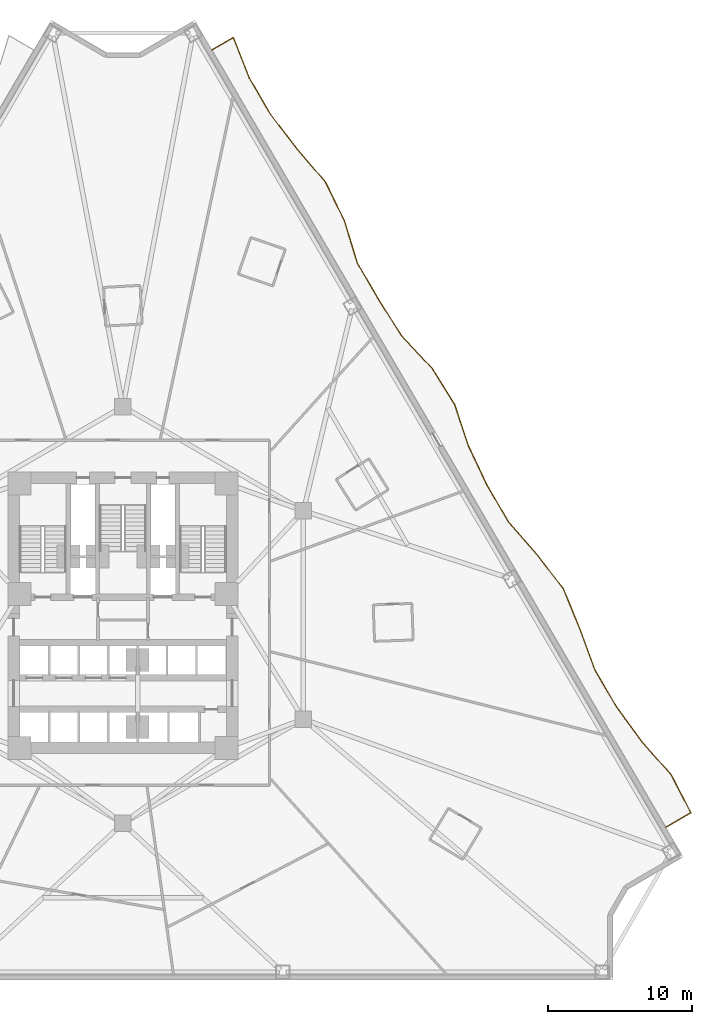
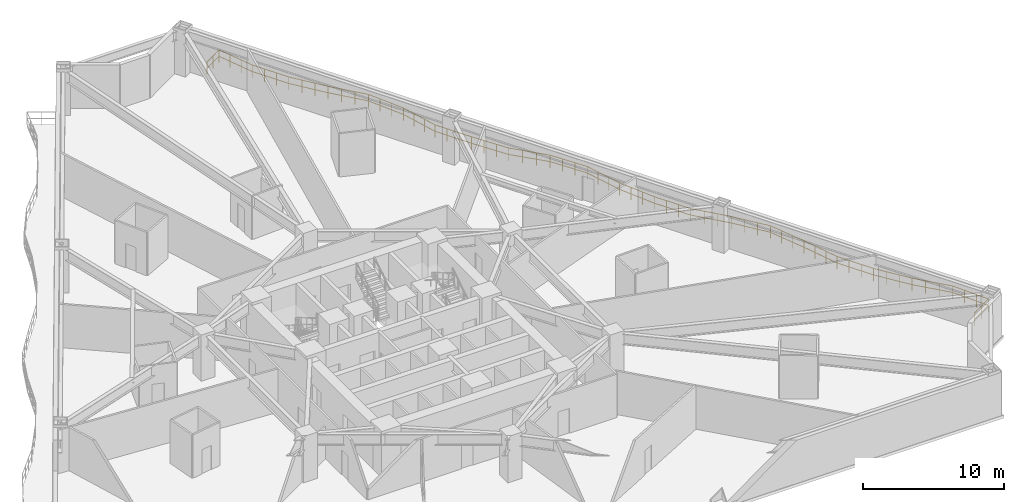
# One storey, part 11 of 11: 1 railing.
"""IFC4 building model written with IfcOpenShell, lengths in metres."""

from ifc_helpers import new_model, si_unit, direction, frame, origin, origin_2d, place, context, subcontext, project, spatial, rectangle, extrude, material, type_object, element, save


model = new_model("IFC4")

# Units and contexts
model_context = context("Model", 3, precision=1e-05, world=origin(), true_north=direction((0.0, 1.0)))
body_context = subcontext(model_context, "Body", "Model", "MODEL_VIEW")
ifc_project = project(units=[si_unit("LENGTHUNIT", "METRE"), si_unit("AREAUNIT", "SQUARE_METRE"), si_unit("VOLUMEUNIT", "CUBIC_METRE"), si_unit("PLANEANGLEUNIT", "RADIAN"), si_unit("MASSUNIT", "GRAM", prefix="KILO")], contexts=[model_context])

# Site, building, storey
site_placement = place(None, origin())
site = spatial("IfcSite", under=ifc_project, at=site_placement, CompositionType="ELEMENT")
building_placement = place(site_placement, origin())
building = spatial("IfcBuilding", under=site, at=building_placement, Name="Apsidion Concourse Tower", CompositionType="ELEMENT")
storey_placement = place(building_placement, frame((0.0, 0.0, 54.39990234375)))
storey = spatial("IfcBuildingStorey", under=building, at=storey_placement, Name="L11", CompositionType="ELEMENT", Elevation=54.39990234375)

# Railing
ifc_material = material(Name="Brushed stainless steel 316", Category="steel")
railing_type = type_object("IfcRailingType", Name="RL-BAL-1120", PredefinedType="BALUSTRADE", material=ifc_material)
railing_placement = place(storey_placement, frame((6.204833984375, 39.32275390625, 0.0)))
element("IfcRailing", 1, at=railing_placement, inside=storey, type_object=railing_type, Name="L11 Face 3 Rippling Balcony Balustrade", PredefinedType="BALUSTRADE", context=body_context, shape_type="SweptSolid", body=[
    extrude(rectangle(XDim=0.048095703125, YDim=0.048095703125, at=origin_2d()), frame((0.0, 0.0, 1.09619140625), z_axis=(0.863535689289, 0.504287728708, 0.0), x_axis=(-0.504287728708, 0.863535689289, 0.0)), (0.0, 0.0, 1.0), 1.7119140625),
    extrude(rectangle(XDim=0.048095703125, YDim=0.048095703125, at=origin_2d()), frame((0.0, 0.0, 0.5361328125), z_axis=(0.863535689289, 0.504287728708, 0.0), x_axis=(-0.504287728708, 0.863535689289, 0.0)), (0.0, 0.0, 1.0), 1.7119140625),
    extrude(rectangle(XDim=0.048095703125, YDim=0.048095703125, at=origin_2d()), frame((1.478271484375, 0.86328125, 1.09619140625), z_axis=(0.366155310189, -0.930553753859, 0.0), x_axis=(0.930553753859, 0.366155310189, 0.0)), (0.0, 0.0, 1.0), 3.0185546875),
    extrude(rectangle(XDim=0.048095703125, YDim=0.048095703125, at=origin_2d()), frame((1.478271484375, 0.86328125, 0.5361328125), z_axis=(0.366155310189, -0.930553753859, 0.0), x_axis=(0.930553753859, 0.366155310189, 0.0)), (0.0, 0.0, 1.0), 3.0185546875),
    extrude(rectangle(XDim=0.048095703125, YDim=0.048095703125, at=origin_2d()), frame((2.58349609375, -1.945556640625, 1.09619140625), z_axis=(0.504155966148, -0.863612622532, 0.0), x_axis=(0.863612622532, 0.504155966148, 0.0)), (0.0, 0.0, 1.0), 2.98291015625),
    extrude(rectangle(XDim=0.048095703125, YDim=0.048095703125, at=origin_2d()), frame((2.58349609375, -1.945556640625, 0.5361328125), z_axis=(0.504155966148, -0.863612622532, 0.0), x_axis=(0.863612622532, 0.504155966148, 0.0)), (0.0, 0.0, 1.0), 2.98291015625),
    extrude(rectangle(XDim=0.048095703125, YDim=0.048095703125, at=origin_2d()), frame((4.08740234375, -4.521728515625, 1.09619140625), z_axis=(0.608913854195, -0.793236357065, 0.0), x_axis=(0.793236357065, 0.608913854195, 0.0)), (0.0, 0.0, 1.0), 3.006591796875),
    extrude(rectangle(XDim=0.048095703125, YDim=0.048095703125, at=origin_2d()), frame((4.08740234375, -4.521728515625, 0.5361328125), z_axis=(0.608913854195, -0.793236357065, 0.0), x_axis=(0.793236357065, 0.608913854195, 0.0)), (0.0, 0.0, 1.0), 3.006591796875),
    extrude(rectangle(XDim=0.048095703125, YDim=0.048095703125, at=origin_2d()), frame((5.918212890625, -6.90673828125, 1.09619140625), z_axis=(0.65158656951, -0.75857428274, 0.0), x_axis=(0.75857428274, 0.65158656951, 0.0)), (0.0, 0.0, 1.0), 3.03271484375),
    extrude(rectangle(XDim=0.048095703125, YDim=0.048095703125, at=origin_2d()), frame((5.918212890625, -6.90673828125, 0.5361328125), z_axis=(0.65158656951, -0.75857428274, 0.0), x_axis=(0.75857428274, 0.65158656951, 0.0)), (0.0, 0.0, 1.0), 3.03271484375),
    extrude(rectangle(XDim=0.048095703125, YDim=0.048095703125, at=origin_2d()), frame((7.894287109375, -9.207275390625, 1.09619140625), z_axis=(0.440146893099, -0.8979257834, 0.0), x_axis=(0.8979257834, 0.440146893099, 0.0)), (0.0, 0.0, 1.0), 2.99072265625),
    extrude(rectangle(XDim=0.048095703125, YDim=0.048095703125, at=origin_2d()), frame((7.894287109375, -9.207275390625, 0.5361328125), z_axis=(0.440146893099, -0.8979257834, 0.0), x_axis=(0.8979257834, 0.440146893099, 0.0)), (0.0, 0.0, 1.0), 2.99072265625),
    extrude(rectangle(XDim=0.048095703125, YDim=0.048095703125, at=origin_2d()), frame((9.210693359375, -11.892822265625, 1.09619140625), z_axis=(0.29124718048, -0.956647834818, 0.0), x_axis=(0.956647834818, 0.29124718048, 0.0)), (0.0, 0.0, 1.0), 3.0654296875),
    extrude(rectangle(XDim=0.048095703125, YDim=0.048095703125, at=origin_2d()), frame((9.210693359375, -11.892822265625, 0.5361328125), z_axis=(0.29124718048, -0.956647834818, 0.0), x_axis=(0.956647834818, 0.29124718048, 0.0)), (0.0, 0.0, 1.0), 3.0654296875),
    extrude(rectangle(XDim=0.048095703125, YDim=0.048095703125, at=origin_2d()), frame((10.103515625, -14.825439453125, 1.09619140625), z_axis=(0.504217003444, -0.863576987557, 0.0), x_axis=(0.863576987557, 0.504217003444, 0.0)), (0.0, 0.0, 1.0), 2.983154296875),
    extrude(rectangle(XDim=0.048095703125, YDim=0.048095703125, at=origin_2d()), frame((10.103515625, -14.825439453125, 0.5361328125), z_axis=(0.504217003444, -0.863576987557, 0.0), x_axis=(0.863576987557, 0.504217003444, 0.0)), (0.0, 0.0, 1.0), 2.983154296875),
    extrude(rectangle(XDim=0.048095703125, YDim=0.048095703125, at=origin_2d()), frame((11.607666015625, -17.401611328125, 1.09619140625), z_axis=(0.534146861676, -0.845391702208, 0.0), x_axis=(0.845391702208, 0.534146861676, 0.0)), (0.0, 0.0, 1.0), 2.984619140625),
    extrude(rectangle(XDim=0.048095703125, YDim=0.048095703125, at=origin_2d()), frame((11.607666015625, -17.401611328125, 0.5361328125), z_axis=(0.534146861676, -0.845391702208, 0.0), x_axis=(0.845391702208, 0.534146861676, 0.0)), (0.0, 0.0, 1.0), 2.984619140625),
    extrude(rectangle(XDim=0.048095703125, YDim=0.048095703125, at=origin_2d()), frame((13.201904296875, -19.9248046875, 1.09619140625), z_axis=(0.685988746954, -0.72761214878, 0.0), x_axis=(0.72761214878, 0.685988746954, 0.0)), (0.0, 0.0, 1.0), 3.061767578125),
    extrude(rectangle(XDim=0.048095703125, YDim=0.048095703125, at=origin_2d()), frame((13.201904296875, -19.9248046875, 0.5361328125), z_axis=(0.685988746954, -0.72761214878, 0.0), x_axis=(0.72761214878, 0.685988746954, 0.0)), (0.0, 0.0, 1.0), 3.061767578125),
    extrude(rectangle(XDim=0.048095703125, YDim=0.048095703125, at=origin_2d()), frame((15.30224609375, -22.152587890625, 1.09619140625), z_axis=(0.528740866486, -0.848783303387, 0.0), x_axis=(0.848783303387, 0.528740866486, 0.0)), (0.0, 0.0, 1.0), 2.984130859375),
    extrude(rectangle(XDim=0.048095703125, YDim=0.048095703125, at=origin_2d()), frame((15.30224609375, -22.152587890625, 0.5361328125), z_axis=(0.528740866486, -0.848783303387, 0.0), x_axis=(0.848783303387, 0.528740866486, 0.0)), (0.0, 0.0, 1.0), 2.984130859375),
    extrude(rectangle(XDim=0.048095703125, YDim=0.048095703125, at=origin_2d()), frame((16.880126953125, -24.685546875, 1.09619140625), z_axis=(0.31668437014, -0.948530974565, 0.0), x_axis=(0.948530974565, 0.31668437014, 0.0)), (0.0, 0.0, 1.0), 3.04736328125),
    extrude(rectangle(XDim=0.048095703125, YDim=0.048095703125, at=origin_2d()), frame((16.880126953125, -24.685546875, 0.5361328125), z_axis=(0.31668437014, -0.948530974565, 0.0), x_axis=(0.948530974565, 0.31668437014, 0.0)), (0.0, 0.0, 1.0), 3.04736328125),
    extrude(rectangle(XDim=0.048095703125, YDim=0.048095703125, at=origin_2d()), frame((17.84521484375, -27.576171875, 1.09619140625), z_axis=(0.428359743198, -0.90360828372, 0.0), x_axis=(0.90360828372, 0.428359743198, 0.0)), (0.0, 0.0, 1.0), 2.993896484375),
    extrude(rectangle(XDim=0.048095703125, YDim=0.048095703125, at=origin_2d()), frame((17.84521484375, -27.576171875, 0.5361328125), z_axis=(0.428359743198, -0.90360828372, 0.0), x_axis=(0.90360828372, 0.428359743198, 0.0)), (0.0, 0.0, 1.0), 2.993896484375),
    extrude(rectangle(XDim=0.048095703125, YDim=0.048095703125, at=origin_2d()), frame((19.127685546875, -30.281494140625, 1.09619140625), z_axis=(0.504252641195, -0.863556178745, 0.0), x_axis=(0.863556178745, 0.504252641195, 0.0)), (0.0, 0.0, 1.0), 2.98291015625),
    extrude(rectangle(XDim=0.048095703125, YDim=0.048095703125, at=origin_2d()), frame((19.127685546875, -30.281494140625, 0.5361328125), z_axis=(0.504252641195, -0.863556178745, 0.0), x_axis=(0.863556178745, 0.504252641195, 0.0)), (0.0, 0.0, 1.0), 2.98291015625),
    extrude(rectangle(XDim=0.048095703125, YDim=0.048095703125, at=origin_2d()), frame((20.6318359375, -32.857421875, 1.09619140625), z_axis=(0.658959628995, -0.752178308219, 0.0), x_axis=(0.752178308219, 0.658959628995, 0.0)), (0.0, 0.0, 1.0), 3.0380859375),
    extrude(rectangle(XDim=0.048095703125, YDim=0.048095703125, at=origin_2d()), frame((20.6318359375, -32.857421875, 0.5361328125), z_axis=(0.658959628995, -0.752178308219, 0.0), x_axis=(0.752178308219, 0.658959628995, 0.0)), (0.0, 0.0, 1.0), 3.0380859375),
    extrude(rectangle(XDim=0.048095703125, YDim=0.048095703125, at=origin_2d()), frame((22.6337890625, -35.142578125, 1.09619140625), z_axis=(0.607380774046, -0.794410847937, 0.0), x_axis=(0.794410847937, 0.607380774046, 0.0)), (0.0, 0.0, 1.0), 3.00634765625),
    extrude(rectangle(XDim=0.048095703125, YDim=0.048095703125, at=origin_2d()), frame((22.6337890625, -35.142578125, 0.5361328125), z_axis=(0.607380774046, -0.794410847937, 0.0), x_axis=(0.794410847937, 0.607380774046, 0.0)), (0.0, 0.0, 1.0), 3.00634765625),
    extrude(rectangle(XDim=0.048095703125, YDim=0.048095703125, at=origin_2d()), frame((24.459716796875, -37.53076171875, 1.09619140625), z_axis=(0.378576039559, -0.925570193055, 0.0), x_axis=(0.925570193055, 0.378576039559, 0.0)), (0.0, 0.0, 1.0), 3.01220703125),
    extrude(rectangle(XDim=0.048095703125, YDim=0.048095703125, at=origin_2d()), frame((24.459716796875, -37.53076171875, 0.5361328125), z_axis=(0.378576039559, -0.925570193055, 0.0), x_axis=(0.925570193055, 0.378576039559, 0.0)), (0.0, 0.0, 1.0), 3.01220703125),
    extrude(rectangle(XDim=0.048095703125, YDim=0.048095703125, at=origin_2d()), frame((25.60009765625, -40.31884765625, 1.09619140625), z_axis=(0.345880875943, -0.938278433972, 0.0), x_axis=(0.938278433972, 0.345880875943, 0.0)), (0.0, 0.0, 1.0), 3.029541015625),
    extrude(rectangle(XDim=0.048095703125, YDim=0.048095703125, at=origin_2d()), frame((25.60009765625, -40.31884765625, 0.5361328125), z_axis=(0.345880875943, -0.938278433972, 0.0), x_axis=(0.938278433972, 0.345880875943, 0.0)), (0.0, 0.0, 1.0), 3.029541015625),
    extrude(rectangle(XDim=0.048095703125, YDim=0.048095703125, at=origin_2d()), frame((26.64794921875, -43.161376953125, 1.09619140625), z_axis=(0.504191602526, -0.863591817899, 0.0), x_axis=(0.863591817899, 0.504191602526, 0.0)), (0.0, 0.0, 1.0), 2.98291015625),
    extrude(rectangle(XDim=0.048095703125, YDim=0.048095703125, at=origin_2d()), frame((26.64794921875, -43.161376953125, 0.5361328125), z_axis=(0.504191602526, -0.863591817899, 0.0), x_axis=(0.863591817899, 0.504191602526, 0.0)), (0.0, 0.0, 1.0), 2.98291015625),
    extrude(rectangle(XDim=0.048095703125, YDim=0.048095703125, at=origin_2d()), frame((28.15185546875, -45.7373046875, 1.09619140625), z_axis=(0.590396182746, -0.807113590146, 0.0), x_axis=(0.807113590146, 0.590396182746, 0.0)), (0.0, 0.0, 1.0), 2.998779296875),
    extrude(rectangle(XDim=0.048095703125, YDim=0.048095703125, at=origin_2d()), frame((28.15185546875, -45.7373046875, 0.5361328125), z_axis=(0.590396182746, -0.807113590146, 0.0), x_axis=(0.807113590146, 0.590396182746, 0.0)), (0.0, 0.0, 1.0), 2.998779296875),
    extrude(rectangle(XDim=0.048095703125, YDim=0.048095703125, at=origin_2d()), frame((29.92236328125, -48.15771484375, 1.09619140625), z_axis=(0.663027534084, -0.748595010033, 0.0), x_axis=(0.748595010033, 0.663027534084, 0.0)), (0.0, 0.0, 1.0), 3.04150390625),
    extrude(rectangle(XDim=0.048095703125, YDim=0.048095703125, at=origin_2d()), frame((29.92236328125, -48.15771484375, 0.5361328125), z_axis=(0.663027534084, -0.748595010033, 0.0), x_axis=(0.748595010033, 0.663027534084, 0.0)), (0.0, 0.0, 1.0), 3.04150390625),
    extrude(rectangle(XDim=0.048095703125, YDim=0.048095703125, at=origin_2d()), frame((31.93896484375, -50.4345703125, 1.09619140625), z_axis=(0.462484979169, -0.886627116686, 0.0), x_axis=(0.886627116686, 0.462484979169, 0.0)), (0.0, 0.0, 1.0), 2.986328125),
    extrude(rectangle(XDim=0.048095703125, YDim=0.048095703125, at=origin_2d()), frame((31.93896484375, -50.4345703125, 0.5361328125), z_axis=(0.462484979169, -0.886627116686, 0.0), x_axis=(0.886627116686, 0.462484979169, 0.0)), (0.0, 0.0, 1.0), 2.986328125),
    extrude(rectangle(XDim=0.048095703125, YDim=0.048095703125, at=origin_2d()), frame((33.320068359375, -53.082275390625, 1.09619140625), z_axis=(-0.863615830565, -0.50415047079, 0.0), x_axis=(0.50415047079, -0.863615830565, 0.0)), (0.0, 0.0, 1.0), 2.009765625),
    extrude(rectangle(XDim=0.048095703125, YDim=0.048095703125, at=origin_2d()), frame((33.320068359375, -53.082275390625, 0.5361328125), z_axis=(-0.863615830565, -0.50415047079, 0.0), x_axis=(0.50415047079, -0.863615830565, 0.0)), (0.0, 0.0, 1.0), 2.009765625),
    extrude(rectangle(XDim=0.0419921875, YDim=0.0419921875, at=origin_2d()), origin(), (0.0, 0.0, 1.0), 1.072021484375),
    extrude(rectangle(XDim=0.0419921875, YDim=0.0419921875, at=origin_2d()), frame((0.7392578125, 0.431640625, 0.0)), (0.0, 0.0, 1.0), 1.072021484375),
    extrude(rectangle(XDim=0.0419921875, YDim=0.0419921875, at=origin_2d()), frame((1.478271484375, 0.86328125, 0.0)), (0.0, 0.0, 1.0), 1.072021484375),
    extrude(rectangle(XDim=0.0419921875, YDim=0.0419921875, at=origin_2d()), frame((1.8466796875, -0.072998046875, 0.0)), (0.0, 0.0, 1.0), 1.072021484375),
    extrude(rectangle(XDim=0.0419921875, YDim=0.0419921875, at=origin_2d()), frame((2.215087890625, -1.00927734375, 0.0)), (0.0, 0.0, 1.0), 1.072021484375),
    extrude(rectangle(XDim=0.0419921875, YDim=0.0419921875, at=origin_2d()), frame((2.58349609375, -1.945556640625, 0.0)), (0.0, 0.0, 1.0), 1.072021484375),
    extrude(rectangle(XDim=0.0419921875, YDim=0.0419921875, at=origin_2d()), frame((3.084716796875, -2.80419921875, 0.0)), (0.0, 0.0, 1.0), 1.072021484375),
    extrude(rectangle(XDim=0.0419921875, YDim=0.0419921875, at=origin_2d()), frame((3.586181640625, -3.6630859375, 0.0)), (0.0, 0.0, 1.0), 1.072021484375),
    extrude(rectangle(XDim=0.0419921875, YDim=0.0419921875, at=origin_2d()), frame((4.08740234375, -4.521728515625, 0.0)), (0.0, 0.0, 1.0), 1.072021484375),
    extrude(rectangle(XDim=0.0419921875, YDim=0.0419921875, at=origin_2d()), frame((4.69775390625, -5.316650390625, 0.0)), (0.0, 0.0, 1.0), 1.072021484375),
    extrude(rectangle(XDim=0.0419921875, YDim=0.0419921875, at=origin_2d()), frame((5.307861328125, -6.11181640625, 0.0)), (0.0, 0.0, 1.0), 1.072021484375),
    extrude(rectangle(XDim=0.0419921875, YDim=0.0419921875, at=origin_2d()), frame((5.918212890625, -6.90673828125, 0.0)), (0.0, 0.0, 1.0), 1.072021484375),
    extrude(rectangle(XDim=0.0419921875, YDim=0.0419921875, at=origin_2d()), frame((6.576904296875, -7.673583984375, 0.0)), (0.0, 0.0, 1.0), 1.072021484375),
    extrude(rectangle(XDim=0.0419921875, YDim=0.0419921875, at=origin_2d()), frame((7.235595703125, -8.4404296875, 0.0)), (0.0, 0.0, 1.0), 1.072021484375),
    extrude(rectangle(XDim=0.0419921875, YDim=0.0419921875, at=origin_2d()), frame((7.894287109375, -9.207275390625, 0.0)), (0.0, 0.0, 1.0), 1.072021484375),
    extrude(rectangle(XDim=0.0419921875, YDim=0.0419921875, at=origin_2d()), frame((8.3330078125, -10.1025390625, 0.0)), (0.0, 0.0, 1.0), 1.072021484375),
    extrude(rectangle(XDim=0.0419921875, YDim=0.0419921875, at=origin_2d()), frame((8.77197265625, -10.99755859375, 0.0)), (0.0, 0.0, 1.0), 1.072021484375),
    extrude(rectangle(XDim=0.0419921875, YDim=0.0419921875, at=origin_2d()), frame((9.210693359375, -11.892822265625, 0.0)), (0.0, 0.0, 1.0), 1.072021484375),
    extrude(rectangle(XDim=0.0419921875, YDim=0.0419921875, at=origin_2d()), frame((9.50830078125, -12.870361328125, 0.0)), (0.0, 0.0, 1.0), 1.072021484375),
    extrude(rectangle(XDim=0.0419921875, YDim=0.0419921875, at=origin_2d()), frame((9.805908203125, -13.847900390625, 0.0)), (0.0, 0.0, 1.0), 1.072021484375),
    extrude(rectangle(XDim=0.0419921875, YDim=0.0419921875, at=origin_2d()), frame((10.103515625, -14.825439453125, 0.0)), (0.0, 0.0, 1.0), 1.072021484375),
    extrude(rectangle(XDim=0.0419921875, YDim=0.0419921875, at=origin_2d()), frame((10.60498046875, -15.68408203125, 0.0)), (0.0, 0.0, 1.0), 1.072021484375),
    extrude(rectangle(XDim=0.0419921875, YDim=0.0419921875, at=origin_2d()), frame((11.106201171875, -16.54296875, 0.0)), (0.0, 0.0, 1.0), 1.072021484375),
    extrude(rectangle(XDim=0.0419921875, YDim=0.0419921875, at=origin_2d()), frame((11.607666015625, -17.401611328125, 0.0)), (0.0, 0.0, 1.0), 1.072021484375),
    extrude(rectangle(XDim=0.0419921875, YDim=0.0419921875, at=origin_2d()), frame((12.13916015625, -18.24267578125, 0.0)), (0.0, 0.0, 1.0), 1.072021484375),
    extrude(rectangle(XDim=0.0419921875, YDim=0.0419921875, at=origin_2d()), frame((12.67041015625, -19.083740234375, 0.0)), (0.0, 0.0, 1.0), 1.072021484375),
    extrude(rectangle(XDim=0.0419921875, YDim=0.0419921875, at=origin_2d()), frame((13.201904296875, -19.9248046875, 0.0)), (0.0, 0.0, 1.0), 1.072021484375),
    extrude(rectangle(XDim=0.0419921875, YDim=0.0419921875, at=origin_2d()), frame((13.902099609375, -20.66748046875, 0.0)), (0.0, 0.0, 1.0), 1.072021484375),
    extrude(rectangle(XDim=0.0419921875, YDim=0.0419921875, at=origin_2d()), frame((14.60205078125, -21.409912109375, 0.0)), (0.0, 0.0, 1.0), 1.072021484375),
    extrude(rectangle(XDim=0.0419921875, YDim=0.0419921875, at=origin_2d()), frame((15.30224609375, -22.152587890625, 0.0)), (0.0, 0.0, 1.0), 1.072021484375),
    extrude(rectangle(XDim=0.0419921875, YDim=0.0419921875, at=origin_2d()), frame((15.828125, -22.996826171875, 0.0)), (0.0, 0.0, 1.0), 1.072021484375),
    extrude(rectangle(XDim=0.0419921875, YDim=0.0419921875, at=origin_2d()), frame((16.354248046875, -23.84130859375, 0.0)), (0.0, 0.0, 1.0), 1.072021484375),
    extrude(rectangle(XDim=0.0419921875, YDim=0.0419921875, at=origin_2d()), frame((16.880126953125, -24.685546875, 0.0)), (0.0, 0.0, 1.0), 1.072021484375),
    extrude(rectangle(XDim=0.0419921875, YDim=0.0419921875, at=origin_2d()), frame((17.201904296875, -25.649169921875, 0.0)), (0.0, 0.0, 1.0), 1.072021484375),
    extrude(rectangle(XDim=0.0419921875, YDim=0.0419921875, at=origin_2d()), frame((17.5234375, -26.612548828125, 0.0)), (0.0, 0.0, 1.0), 1.072021484375),
    extrude(rectangle(XDim=0.0419921875, YDim=0.0419921875, at=origin_2d()), frame((17.84521484375, -27.576171875, 0.0)), (0.0, 0.0, 1.0), 1.072021484375),
    extrude(rectangle(XDim=0.0419921875, YDim=0.0419921875, at=origin_2d()), frame((18.272705078125, -28.47802734375, 0.0)), (0.0, 0.0, 1.0), 1.072021484375),
    extrude(rectangle(XDim=0.0419921875, YDim=0.0419921875, at=origin_2d()), frame((18.7001953125, -29.379638671875, 0.0)), (0.0, 0.0, 1.0), 1.072021484375),
    extrude(rectangle(XDim=0.0419921875, YDim=0.0419921875, at=origin_2d()), frame((19.127685546875, -30.281494140625, 0.0)), (0.0, 0.0, 1.0), 1.072021484375),
    extrude(rectangle(XDim=0.0419921875, YDim=0.0419921875, at=origin_2d()), frame((19.629150390625, -31.14013671875, 0.0)), (0.0, 0.0, 1.0), 1.072021484375),
    extrude(rectangle(XDim=0.0419921875, YDim=0.0419921875, at=origin_2d()), frame((20.13037109375, -31.998779296875, 0.0)), (0.0, 0.0, 1.0), 1.072021484375),
    extrude(rectangle(XDim=0.0419921875, YDim=0.0419921875, at=origin_2d()), frame((20.6318359375, -32.857421875, 0.0)), (0.0, 0.0, 1.0), 1.072021484375),
    extrude(rectangle(XDim=0.0419921875, YDim=0.0419921875, at=origin_2d()), frame((21.299072265625, -33.619140625, 0.0)), (0.0, 0.0, 1.0), 1.072021484375),
    extrude(rectangle(XDim=0.0419921875, YDim=0.0419921875, at=origin_2d()), frame((21.966552734375, -34.380859375, 0.0)), (0.0, 0.0, 1.0), 1.072021484375),
    extrude(rectangle(XDim=0.0419921875, YDim=0.0419921875, at=origin_2d()), frame((22.6337890625, -35.142578125, 0.0)), (0.0, 0.0, 1.0), 1.072021484375),
    extrude(rectangle(XDim=0.0419921875, YDim=0.0419921875, at=origin_2d()), frame((23.242431640625, -35.938720703125, 0.0)), (0.0, 0.0, 1.0), 1.072021484375),
    extrude(rectangle(XDim=0.0419921875, YDim=0.0419921875, at=origin_2d()), frame((23.85107421875, -36.734619140625, 0.0)), (0.0, 0.0, 1.0), 1.072021484375),
    extrude(rectangle(XDim=0.0419921875, YDim=0.0419921875, at=origin_2d()), frame((24.459716796875, -37.53076171875, 0.0)), (0.0, 0.0, 1.0), 1.072021484375),
    extrude(rectangle(XDim=0.0419921875, YDim=0.0419921875, at=origin_2d()), frame((24.83984375, -38.460205078125, 0.0)), (0.0, 0.0, 1.0), 1.072021484375),
    extrude(rectangle(XDim=0.0419921875, YDim=0.0419921875, at=origin_2d()), frame((25.219970703125, -39.389404296875, 0.0)), (0.0, 0.0, 1.0), 1.072021484375),
    extrude(rectangle(XDim=0.0419921875, YDim=0.0419921875, at=origin_2d()), frame((25.60009765625, -40.31884765625, 0.0)), (0.0, 0.0, 1.0), 1.072021484375),
    extrude(rectangle(XDim=0.0419921875, YDim=0.0419921875, at=origin_2d()), frame((25.949462890625, -41.266357421875, 0.0)), (0.0, 0.0, 1.0), 1.072021484375),
    extrude(rectangle(XDim=0.0419921875, YDim=0.0419921875, at=origin_2d()), frame((26.298583984375, -42.2138671875, 0.0)), (0.0, 0.0, 1.0), 1.072021484375),
    extrude(rectangle(XDim=0.0419921875, YDim=0.0419921875, at=origin_2d()), frame((26.64794921875, -43.161376953125, 0.0)), (0.0, 0.0, 1.0), 1.072021484375),
    extrude(rectangle(XDim=0.0419921875, YDim=0.0419921875, at=origin_2d()), frame((27.149169921875, -44.02001953125, 0.0)), (0.0, 0.0, 1.0), 1.072021484375),
    extrude(rectangle(XDim=0.0419921875, YDim=0.0419921875, at=origin_2d()), frame((27.650634765625, -44.878662109375, 0.0)), (0.0, 0.0, 1.0), 1.072021484375),
    extrude(rectangle(XDim=0.0419921875, YDim=0.0419921875, at=origin_2d()), frame((28.15185546875, -45.7373046875, 0.0)), (0.0, 0.0, 1.0), 1.072021484375),
    extrude(rectangle(XDim=0.0419921875, YDim=0.0419921875, at=origin_2d()), frame((28.741943359375, -46.544189453125, 0.0)), (0.0, 0.0, 1.0), 1.072021484375),
    extrude(rectangle(XDim=0.0419921875, YDim=0.0419921875, at=origin_2d()), frame((29.332275390625, -47.350830078125, 0.0)), (0.0, 0.0, 1.0), 1.072021484375),
    extrude(rectangle(XDim=0.0419921875, YDim=0.0419921875, at=origin_2d()), frame((29.92236328125, -48.15771484375, 0.0)), (0.0, 0.0, 1.0), 1.072021484375),
    extrude(rectangle(XDim=0.0419921875, YDim=0.0419921875, at=origin_2d()), frame((30.594482421875, -48.916748046875, 0.0)), (0.0, 0.0, 1.0), 1.072021484375),
    extrude(rectangle(XDim=0.0419921875, YDim=0.0419921875, at=origin_2d()), frame((31.266845703125, -49.675537109375, 0.0)), (0.0, 0.0, 1.0), 1.072021484375),
    extrude(rectangle(XDim=0.0419921875, YDim=0.0419921875, at=origin_2d()), frame((31.93896484375, -50.4345703125, 0.0)), (0.0, 0.0, 1.0), 1.072021484375),
    extrude(rectangle(XDim=0.0419921875, YDim=0.0419921875, at=origin_2d()), frame((32.3994140625, -51.317138671875, 0.0)), (0.0, 0.0, 1.0), 1.072021484375),
    extrude(rectangle(XDim=0.0419921875, YDim=0.0419921875, at=origin_2d()), frame((32.859619140625, -52.19970703125, 0.0)), (0.0, 0.0, 1.0), 1.072021484375),
    extrude(rectangle(XDim=0.0419921875, YDim=0.0419921875, at=origin_2d()), frame((33.320068359375, -53.082275390625, 0.0)), (0.0, 0.0, 1.0), 1.072021484375),
    extrude(rectangle(XDim=0.0419921875, YDim=0.0419921875, at=origin_2d()), frame((32.4521484375, -53.5888671875, 0.0)), (0.0, 0.0, 1.0), 1.072021484375),
    extrude(rectangle(XDim=0.0419921875, YDim=0.0419921875, at=origin_2d()), frame((31.58447265625, -54.095458984375, 0.0)), (0.0, 0.0, 1.0), 1.072021484375),
])

save(model, "model.ifc")
